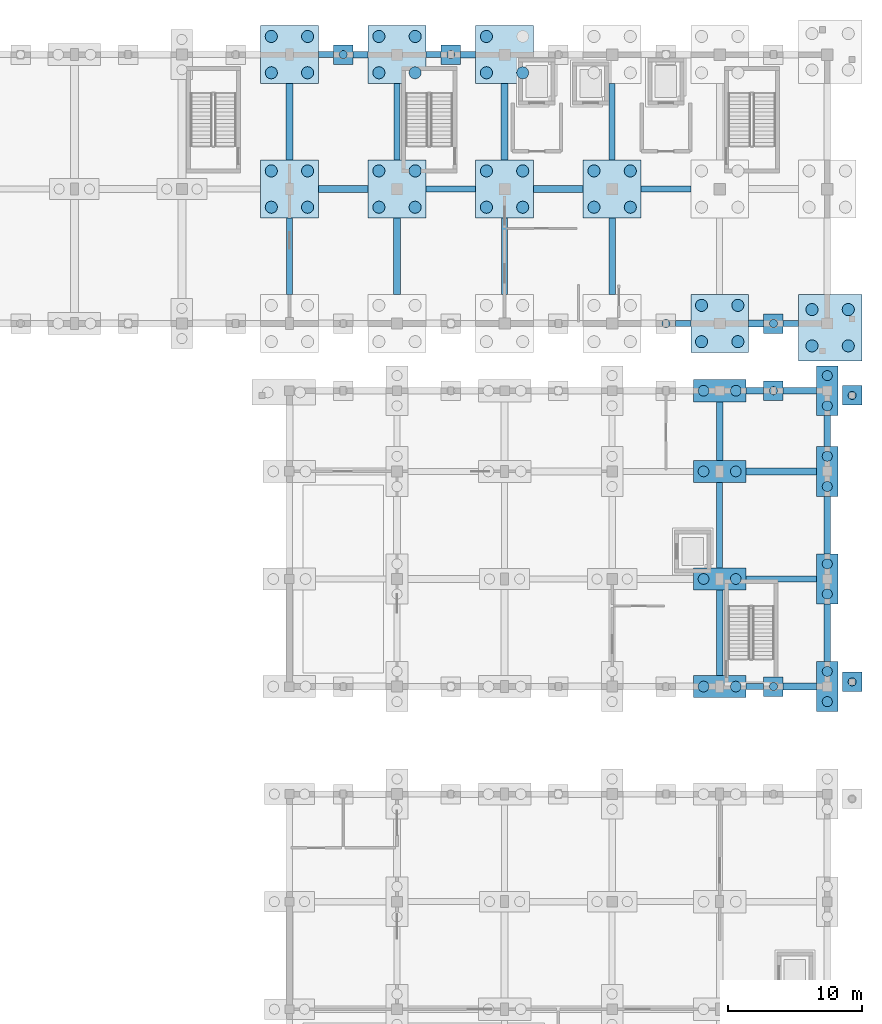
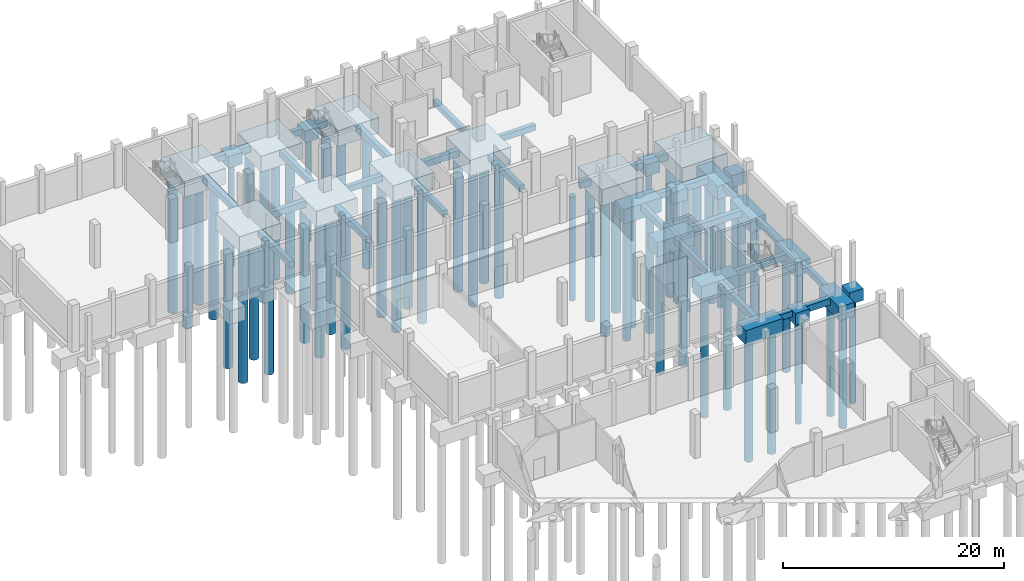
# One storey, part 13 of 52: 59 piles, 55 footings.
"""IFC4 building model written with IfcOpenShell, lengths in metres."""

from ifc_helpers import new_model, si_unit, direction, frame, origin, origin_2d, place, context, subcontext, project, spatial, polyline, rectangle, circle, outline, extrude, material, material_profile, profile_set, type_object, element, save


model = new_model("IFC4")

# Units and contexts
model_context = context("Model", 3, precision=1e-05, world=origin(), true_north=direction((0.0, 1.0)))
body_context = subcontext(model_context, "Body", "Model", "MODEL_VIEW")
ifc_project = project(units=[si_unit("LENGTHUNIT", "METRE"), si_unit("AREAUNIT", "SQUARE_METRE"), si_unit("VOLUMEUNIT", "CUBIC_METRE"), si_unit("PLANEANGLEUNIT", "RADIAN"), si_unit("MASSUNIT", "GRAM", prefix="KILO")], contexts=[model_context])

# Site, building, storey
site_placement = place(None, origin())
site = spatial("IfcSite", under=ifc_project, at=site_placement, CompositionType="ELEMENT")
building_placement = place(site_placement, origin())
building = spatial("IfcBuilding", under=site, at=building_placement, Name="Luwemba Playhouse", CompositionType="ELEMENT")
storey_placement = place(building_placement, frame((0.0, 0.0, -4.800048828125)))
storey = spatial("IfcBuildingStorey", under=building, at=storey_placement, Name="B1", CompositionType="ELEMENT", Elevation=-4.800048828125)

# Footings
ifc_material = material(Name="Concrete C32/40", Category="concrete")
ifc_material_profile_1 = material_profile(ifc_material, rectangle(XDim=0.449951171875, YDim=0.64990234375, at=origin_2d()))
ifc_profile_set_1 = profile_set([ifc_material_profile_1], Name="Concrete C32/40")
footing_type_1 = type_object("IfcFootingType", Name="FTBM-GB1", PredefinedType="FOOTING_BEAM", material=ifc_profile_set_1)
footing_1_placement = place(storey_placement, frame((165.949951171875, 68.0, -0.704833984375), z_axis=(1.0, 0.0, 0.0), x_axis=(0.0, 1.0, 0.0)))
element("IfcFooting", 1, at=footing_1_placement, inside=storey, type_object=footing_type_1, Name="Ground tie-beam 151", PredefinedType="FOOTING_BEAM", context=body_context, shape_type="SweptSolid", body=[
    extrude(rectangle(XDim=0.449951171875, YDim=0.64990234375, at=origin_2d()), origin(), (0.0, 0.0, 1.0), 1.324951171875),
])
footing_2_placement = place(storey_placement, frame((165.949951171875, 76.0, -0.704833984375), z_axis=(1.0, 0.0, 0.0), x_axis=(0.0, 1.0, 0.0)))
element("IfcFooting", 2, at=footing_2_placement, inside=storey, type_object=footing_type_1, Name="Ground tie-beam 159", PredefinedType="FOOTING_BEAM", context=body_context, shape_type="SweptSolid", body=[
    extrude(rectangle(XDim=0.449951171875, YDim=0.64990234375, at=origin_2d()), origin(), (0.0, 0.0, 1.0), 5.25),
])
footing_3_placement = place(storey_placement, frame((165.949951171875, 90.0, -0.704833984375), z_axis=(1.0, 0.0, 0.0), x_axis=(0.0, 1.0, 0.0)))
element("IfcFooting", 3, at=footing_3_placement, inside=storey, type_object=footing_type_1, Name="Ground tie-beam 189", PredefinedType="FOOTING_BEAM", context=body_context, shape_type="SweptSolid", body=[
    extrude(rectangle(XDim=0.449951171875, YDim=0.64990234375, at=origin_2d()), origin(), (0.0, 0.0, 1.0), 1.324951171875),
])
for number, where, z_axis, x_axis, name in (
    (4, (160.72509765625, 95.0, -0.704833984375), (1.0, 0.0, 0.0), (0.0, 1.0, 0.0), "Ground tie-beam 215"),
    (5, (168.72509765625, 95.0, -0.704833984375), (1.0, 0.0, 0.0), (0.0, 1.0, 0.0), "Ground tie-beam 217"),
):
    element("IfcFooting", number, at=place(storey_placement, frame(where, z_axis=z_axis, x_axis=x_axis)), inside=storey, type_object=footing_type_1, Name=name, PredefinedType="FOOTING_BEAM", context=body_context, shape_type="SweptSolid", body=[
        extrude(rectangle(XDim=0.449951171875, YDim=0.64990234375, at=origin_2d()), origin(), (0.0, 0.0, 1.0), 1.125),
    ])
for number, where, z_axis, x_axis, name in (
    (6, (142.14990234375, 105.0, -0.704833984375), (1.0, 0.0, 0.0), (0.0, 1.0, 0.0), "Ground tie-beam 231"),
    (7, (158.14990234375, 105.0, -0.704833984375), (1.0, 0.0, 0.0), (0.0, 1.0, 0.0), "Ground tie-beam 233"),
):
    element("IfcFooting", number, at=place(storey_placement, frame(where, z_axis=z_axis, x_axis=x_axis)), inside=storey, type_object=footing_type_1, Name=name, PredefinedType="FOOTING_BEAM", context=body_context, shape_type="SweptSolid", body=[
        extrude(rectangle(XDim=0.449951171875, YDim=0.64990234375, at=origin_2d()), origin(), (0.0, 0.0, 1.0), 3.7001953125),
    ])
for number, where, z_axis, x_axis, name in (
    (8, (134.14990234375, 115.0, -0.704833984375), (1.0, 0.0, 0.0), (0.0, 1.0, 0.0), "Ground tie-beam 259"),
    (9, (142.14990234375, 115.0, -0.704833984375), (1.0, 0.0, 0.0), (0.0, 1.0, 0.0), "Ground tie-beam 261"),
):
    element("IfcFooting", number, at=place(storey_placement, frame(where, z_axis=z_axis, x_axis=x_axis)), inside=storey, type_object=footing_type_1, Name=name, PredefinedType="FOOTING_BEAM", context=body_context, shape_type="SweptSolid", body=[
        extrude(rectangle(XDim=0.449951171875, YDim=0.64990234375, at=origin_2d()), origin(), (0.0, 0.0, 1.0), 1.125),
    ])
for number, where, z_axis, x_axis, name in (
    (10, (132.0, 97.14990234375, -0.704833984375), (0.0, 1.0, 0.0), (-1.0, 0.0, 0.0), "Ground tie-beam 371"),
    (11, (140.0, 107.14990234375, -0.704833984375), (0.0, 1.0, 0.0), (-1.0, 0.0, 0.0), "Ground tie-beam 383"),
    (12, (148.0, 97.14990234375, -0.704833984375), (0.0, 1.0, 0.0), (-1.0, 0.0, 0.0), "Ground tie-beam 393"),
    (13, (156.0, 107.14990234375, -0.704833984375), (0.0, 1.0, 0.0), (-1.0, 0.0, 0.0), "Ground tie-beam 405"),
):
    element("IfcFooting", number, at=place(storey_placement, frame(where, z_axis=z_axis, x_axis=x_axis)), inside=storey, type_object=footing_type_1, Name=name, PredefinedType="FOOTING_BEAM", context=body_context, shape_type="SweptSolid", body=[
        extrude(rectangle(XDim=0.449951171875, YDim=0.64990234375, at=origin_2d()), origin(), (0.0, 0.0, 1.0), 5.7001953125),
    ])
footing_4_placement = place(storey_placement, frame((164.0, 76.824951171875, -0.704833984375), z_axis=(0.0, 1.0, 0.0), x_axis=(-1.0, 0.0, 0.0)))
element("IfcFooting", 14, at=footing_4_placement, inside=storey, type_object=footing_type_1, Name="Ground tie-beam 413", PredefinedType="FOOTING_BEAM", context=body_context, shape_type="SweptSolid", body=[
    extrude(rectangle(XDim=0.449951171875, YDim=0.64990234375, at=origin_2d()), origin(), (0.0, 0.0, 1.0), 6.35009765625),
])
footing_5_placement = place(storey_placement, frame((172.0, 69.85009765625, -0.704833984375), z_axis=(0.0, 1.0, 0.0), x_axis=(-1.0, 0.0, 0.0)))
element("IfcFooting", 15, at=footing_5_placement, inside=storey, type_object=footing_type_1, Name="Ground tie-beam 423", PredefinedType="FOOTING_BEAM", context=body_context, shape_type="SweptSolid", body=[
    extrude(rectangle(XDim=0.449951171875, YDim=0.64990234375, at=origin_2d()), origin(), (0.0, 0.0, 1.0), 4.2998046875),
])
footing_6_placement = place(storey_placement, frame((172.0, 85.85009765625, -0.704833984375), z_axis=(0.0, 1.0, 0.0), x_axis=(-1.0, 0.0, 0.0)))
element("IfcFooting", 16, at=footing_6_placement, inside=storey, type_object=footing_type_1, Name="Ground tie-beam 425", PredefinedType="FOOTING_BEAM", context=body_context, shape_type="SweptSolid", body=[
    extrude(rectangle(XDim=0.449951171875, YDim=0.64990234375, at=origin_2d()), origin(), (0.0, 0.0, 1.0), 2.2998046875),
])
ifc_material_profile_2 = material_profile(ifc_material, rectangle(XDim=0.5, YDim=0.699951171875, at=origin_2d()))
ifc_profile_set_2 = profile_set([ifc_material_profile_2], Name="Concrete C32/40")
footing_type_2 = type_object("IfcFootingType", Name="FTBM-GB2", PredefinedType="FOOTING_BEAM", material=ifc_profile_set_2)
footing_7_placement = place(storey_placement, frame((168.72509765625, 68.0, -0.72998046875), z_axis=(1.0, 0.0, 0.0), x_axis=(0.0, 1.0, 0.0)))
element("IfcFooting", 17, at=footing_7_placement, inside=storey, type_object=footing_type_2, Name="Ground tie-beam 152", PredefinedType="FOOTING_BEAM", context=body_context, shape_type="SweptSolid", body=[
    extrude(rectangle(XDim=0.5, YDim=0.699951171875, at=origin_2d()), origin(), (0.0, 0.0, 1.0), 2.474853515625),
])
footing_8_placement = place(storey_placement, frame((165.949951171875, 84.0, -0.72998046875), z_axis=(1.0, 0.0, 0.0), x_axis=(0.0, 1.0, 0.0)))
element("IfcFooting", 18, at=footing_8_placement, inside=storey, type_object=footing_type_2, Name="Ground tie-beam 170", PredefinedType="FOOTING_BEAM", context=body_context, shape_type="SweptSolid", body=[
    extrude(rectangle(XDim=0.5, YDim=0.699951171875, at=origin_2d()), origin(), (0.0, 0.0, 1.0), 5.25),
])
footing_9_placement = place(storey_placement, frame((168.72509765625, 90.0, -0.72998046875), z_axis=(1.0, 0.0, 0.0), x_axis=(0.0, 1.0, 0.0)))
element("IfcFooting", 19, at=footing_9_placement, inside=storey, type_object=footing_type_2, Name="Ground tie-beam 190", PredefinedType="FOOTING_BEAM", context=body_context, shape_type="SweptSolid", body=[
    extrude(rectangle(XDim=0.5, YDim=0.699951171875, at=origin_2d()), origin(), (0.0, 0.0, 1.0), 2.474853515625),
])
footing_10_placement = place(storey_placement, frame((166.14990234375, 95.0, -0.72998046875), z_axis=(1.0, 0.0, 0.0), x_axis=(0.0, 1.0, 0.0)))
element("IfcFooting", 20, at=footing_10_placement, inside=storey, type_object=footing_type_2, Name="Ground tie-beam 216", PredefinedType="FOOTING_BEAM", context=body_context, shape_type="SweptSolid", body=[
    extrude(rectangle(XDim=0.5, YDim=0.699951171875, at=origin_2d()), origin(), (0.0, 0.0, 1.0), 1.125),
])
for number, where, z_axis, x_axis, name in (
    (21, (134.14990234375, 105.0, -0.72998046875), (1.0, 0.0, 0.0), (0.0, 1.0, 0.0), "Ground tie-beam 230"),
    (22, (150.14990234375, 105.0, -0.72998046875), (1.0, 0.0, 0.0), (0.0, 1.0, 0.0), "Ground tie-beam 232"),
):
    element("IfcFooting", number, at=place(storey_placement, frame(where, z_axis=z_axis, x_axis=x_axis)), inside=storey, type_object=footing_type_2, Name=name, PredefinedType="FOOTING_BEAM", context=body_context, shape_type="SweptSolid", body=[
        extrude(rectangle(XDim=0.5, YDim=0.699951171875, at=origin_2d()), origin(), (0.0, 0.0, 1.0), 3.7001953125),
    ])
for number, where, z_axis, x_axis, name in (
    (23, (136.72509765625, 115.0, -0.72998046875), (1.0, 0.0, 0.0), (0.0, 1.0, 0.0), "Ground tie-beam 260"),
    (24, (144.72509765625, 115.0, -0.72998046875), (1.0, 0.0, 0.0), (0.0, 1.0, 0.0), "Ground tie-beam 262"),
):
    element("IfcFooting", number, at=place(storey_placement, frame(where, z_axis=z_axis, x_axis=x_axis)), inside=storey, type_object=footing_type_2, Name=name, PredefinedType="FOOTING_BEAM", context=body_context, shape_type="SweptSolid", body=[
        extrude(rectangle(XDim=0.5, YDim=0.699951171875, at=origin_2d()), origin(), (0.0, 0.0, 1.0), 1.125),
    ])
for number, where, z_axis, x_axis, name in (
    (25, (132.0, 107.14990234375, -0.72998046875), (0.0, 1.0, 0.0), (-1.0, 0.0, 0.0), "Ground tie-beam 372"),
    (26, (140.0, 97.14990234375, -0.72998046875), (0.0, 1.0, 0.0), (-1.0, 0.0, 0.0), "Ground tie-beam 382"),
    (27, (148.0, 107.14990234375, -0.72998046875), (0.0, 1.0, 0.0), (-1.0, 0.0, 0.0), "Ground tie-beam 394"),
    (28, (156.0, 97.14990234375, -0.72998046875), (0.0, 1.0, 0.0), (-1.0, 0.0, 0.0), "Ground tie-beam 404"),
):
    element("IfcFooting", number, at=place(storey_placement, frame(where, z_axis=z_axis, x_axis=x_axis)), inside=storey, type_object=footing_type_2, Name=name, PredefinedType="FOOTING_BEAM", context=body_context, shape_type="SweptSolid", body=[
        extrude(rectangle(XDim=0.5, YDim=0.699951171875, at=origin_2d()), origin(), (0.0, 0.0, 1.0), 5.7001953125),
    ])
footing_11_placement = place(storey_placement, frame((164.0, 68.824951171875, -0.72998046875), z_axis=(0.0, 1.0, 0.0), x_axis=(-1.0, 0.0, 0.0)))
element("IfcFooting", 29, at=footing_11_placement, inside=storey, type_object=footing_type_2, Name="Ground tie-beam 412", PredefinedType="FOOTING_BEAM", context=body_context, shape_type="SweptSolid", body=[
    extrude(rectangle(XDim=0.5, YDim=0.699951171875, at=origin_2d()), origin(), (0.0, 0.0, 1.0), 6.35009765625),
])
footing_12_placement = place(storey_placement, frame((164.0, 84.824951171875, -0.72998046875), z_axis=(0.0, 1.0, 0.0), x_axis=(-1.0, 0.0, 0.0)))
element("IfcFooting", 30, at=footing_12_placement, inside=storey, type_object=footing_type_2, Name="Ground tie-beam 414", PredefinedType="FOOTING_BEAM", context=body_context, shape_type="SweptSolid", body=[
    extrude(rectangle(XDim=0.5, YDim=0.699951171875, at=origin_2d()), origin(), (0.0, 0.0, 1.0), 4.35009765625),
])
footing_13_placement = place(storey_placement, frame((172.0, 77.85009765625, -0.72998046875), z_axis=(0.0, 1.0, 0.0), x_axis=(-1.0, 0.0, 0.0)))
element("IfcFooting", 31, at=footing_13_placement, inside=storey, type_object=footing_type_2, Name="Ground tie-beam 424", PredefinedType="FOOTING_BEAM", context=body_context, shape_type="SweptSolid", body=[
    extrude(rectangle(XDim=0.5, YDim=0.699951171875, at=origin_2d()), origin(), (0.0, 0.0, 1.0), 4.2998046875),
])
footing_type_3 = type_object("IfcFootingType", Name="FTG-PC02", PredefinedType="PILE_CAP", material=ifc_material)
footing_14_placement = place(storey_placement, frame((0.0, 0.0, -1.679931640625)))
element("IfcFooting", 32, at=footing_14_placement, inside=storey, type_object=footing_type_3, Name="Pile cap 208", PredefinedType="PILE_CAP", context=body_context, shape_type="SweptSolid", body=[
    extrude(outline(polyline([(167.27490234375, 67.27490234375), (168.72509765625, 67.27490234375), (168.72509765625, 68.72509765625), (167.27490234375, 68.72509765625), (167.27490234375, 67.27490234375)])), origin(), (0.0, 0.0, 1.0), 1.300048828125),
])
footing_15_placement = place(storey_placement, frame((0.0, 0.0, -1.679931640625)))
element("IfcFooting", 33, at=footing_15_placement, inside=storey, type_object=footing_type_3, Name="Pile cap 209", PredefinedType="PILE_CAP", context=body_context, shape_type="SweptSolid", body=[
    extrude(outline(polyline([(173.125, 67.625), (174.574951171875, 67.625), (174.574951171875, 69.074951171875), (173.125, 69.074951171875), (173.125, 67.625)])), origin(), (0.0, 0.0, 1.0), 1.300048828125),
])
footing_16_placement = place(storey_placement, frame((0.0, 0.0, -1.679931640625)))
element("IfcFooting", 34, at=footing_16_placement, inside=storey, type_object=footing_type_3, Name="Pile cap 244", PredefinedType="PILE_CAP", context=body_context, shape_type="SweptSolid", body=[
    extrude(outline(polyline([(173.125, 88.925048828125), (174.574951171875, 88.925048828125), (174.574951171875, 90.375), (173.125, 90.375), (173.125, 88.925048828125)])), origin(), (0.0, 0.0, 1.0), 1.300048828125),
])
footing_17_placement = place(storey_placement, frame((0.0, 0.0, -1.679931640625)))
element("IfcFooting", 35, at=footing_17_placement, inside=storey, type_object=footing_type_3, Name="Pile cap 255", PredefinedType="PILE_CAP", context=body_context, shape_type="SweptSolid", body=[
    extrude(outline(polyline([(167.27490234375, 89.27490234375), (168.72509765625, 89.27490234375), (168.72509765625, 90.72509765625), (167.27490234375, 90.72509765625), (167.27490234375, 89.27490234375)])), origin(), (0.0, 0.0, 1.0), 1.300048828125),
])
footing_18_placement = place(storey_placement, frame((0.0, 0.0, -1.679931640625)))
element("IfcFooting", 36, at=footing_18_placement, inside=storey, type_object=footing_type_3, Name="Pile cap 285", PredefinedType="PILE_CAP", context=body_context, shape_type="SweptSolid", body=[
    extrude(outline(polyline([(167.27490234375, 94.27490234375), (168.72509765625, 94.27490234375), (168.72509765625, 95.72509765625), (167.27490234375, 95.72509765625), (167.27490234375, 94.27490234375)])), origin(), (0.0, 0.0, 1.0), 1.300048828125),
])
footing_19_placement = place(storey_placement, frame((0.0, 0.0, -1.679931640625)))
element("IfcFooting", 37, at=footing_19_placement, inside=storey, type_object=footing_type_3, Name="Pile cap 336", PredefinedType="PILE_CAP", context=body_context, shape_type="SweptSolid", body=[
    extrude(outline(polyline([(135.27490234375, 114.27490234375), (136.72509765625, 114.27490234375), (136.72509765625, 115.72509765625), (135.27490234375, 115.72509765625), (135.27490234375, 114.27490234375)])), origin(), (0.0, 0.0, 1.0), 1.300048828125),
])
footing_20_placement = place(storey_placement, frame((0.0, 0.0, -1.679931640625)))
element("IfcFooting", 38, at=footing_20_placement, inside=storey, type_object=footing_type_3, Name="Pile cap 337", PredefinedType="PILE_CAP", context=body_context, shape_type="SweptSolid", body=[
    extrude(outline(polyline([(143.27490234375, 114.27490234375), (144.72509765625, 114.27490234375), (144.72509765625, 115.72509765625), (143.27490234375, 115.72509765625), (143.27490234375, 114.27490234375)])), origin(), (0.0, 0.0, 1.0), 1.300048828125),
])
footing_type_4 = type_object("IfcFootingType", Name="FTG-PC03", PredefinedType="PILE_CAP", material=ifc_material)
footing_21_placement = place(storey_placement, frame((0.0, 0.0, -1.8798828125)))
element("IfcFooting", 39, at=footing_21_placement, inside=storey, type_object=footing_type_4, Name="Pile cap 198", PredefinedType="PILE_CAP", context=body_context, shape_type="SweptSolid", body=[
    extrude(outline(polyline([(171.199951171875, 66.14990234375), (172.800048828125, 66.14990234375), (172.800048828125, 69.85009765625), (171.199951171875, 69.85009765625), (171.199951171875, 66.14990234375)])), origin(), (0.0, 0.0, 1.0), 1.5),
])
footing_22_placement = place(storey_placement, frame((0.0, 0.0, -1.8798828125)))
element("IfcFooting", 40, at=footing_22_placement, inside=storey, type_object=footing_type_4, Name="Pile cap 213", PredefinedType="PILE_CAP", context=body_context, shape_type="SweptSolid", body=[
    extrude(outline(polyline([(171.199951171875, 74.14990234375), (172.800048828125, 74.14990234375), (172.800048828125, 77.85009765625), (171.199951171875, 77.85009765625), (171.199951171875, 74.14990234375)])), origin(), (0.0, 0.0, 1.0), 1.5),
])
footing_23_placement = place(storey_placement, frame((0.0, 0.0, -1.8798828125)))
element("IfcFooting", 41, at=footing_23_placement, inside=storey, type_object=footing_type_4, Name="Pile cap 227", PredefinedType="PILE_CAP", context=body_context, shape_type="SweptSolid", body=[
    extrude(outline(polyline([(171.199951171875, 82.14990234375), (172.800048828125, 82.14990234375), (172.800048828125, 85.85009765625), (171.199951171875, 85.85009765625), (171.199951171875, 82.14990234375)])), origin(), (0.0, 0.0, 1.0), 1.5),
])
footing_24_placement = place(storey_placement, frame((0.0, 0.0, -1.8798828125)))
element("IfcFooting", 42, at=footing_24_placement, inside=storey, type_object=footing_type_4, Name="Pile cap 240", PredefinedType="PILE_CAP", context=body_context, shape_type="SweptSolid", body=[
    extrude(outline(polyline([(171.199951171875, 88.14990234375), (172.800048828125, 88.14990234375), (172.800048828125, 91.85009765625), (171.199951171875, 91.85009765625), (171.199951171875, 88.14990234375)])), origin(), (0.0, 0.0, 1.0), 1.5),
])
footing_type_5 = type_object("IfcFootingType", Name="FTG-PC04", PredefinedType="PILE_CAP", material=ifc_material)
footing_25_placement = place(storey_placement, frame((0.0, 0.0, -1.97998046875)))
element("IfcFooting", 43, at=footing_25_placement, inside=storey, type_object=footing_type_5, Name="Pile cap 203", PredefinedType="PILE_CAP", context=body_context, shape_type="SweptSolid", body=[
    extrude(outline(polyline([(162.050048828125, 67.175048828125), (165.949951171875, 67.175048828125), (165.949951171875, 68.824951171875), (162.050048828125, 68.824951171875), (162.050048828125, 67.175048828125)])), origin(), (0.0, 0.0, 1.0), 1.60009765625),
])
footing_26_placement = place(storey_placement, frame((0.0, 0.0, -1.97998046875)))
element("IfcFooting", 44, at=footing_26_placement, inside=storey, type_object=footing_type_5, Name="Pile cap 217", PredefinedType="PILE_CAP", context=body_context, shape_type="SweptSolid", body=[
    extrude(outline(polyline([(162.050048828125, 75.175048828125), (165.949951171875, 75.175048828125), (165.949951171875, 76.824951171875), (162.050048828125, 76.824951171875), (162.050048828125, 75.175048828125)])), origin(), (0.0, 0.0, 1.0), 1.60009765625),
])
footing_27_placement = place(storey_placement, frame((0.0, 0.0, -1.97998046875)))
element("IfcFooting", 45, at=footing_27_placement, inside=storey, type_object=footing_type_5, Name="Pile cap 232", PredefinedType="PILE_CAP", context=body_context, shape_type="SweptSolid", body=[
    extrude(outline(polyline([(162.050048828125, 83.175048828125), (165.949951171875, 83.175048828125), (165.949951171875, 84.824951171875), (162.050048828125, 84.824951171875), (162.050048828125, 83.175048828125)])), origin(), (0.0, 0.0, 1.0), 1.60009765625),
])
footing_28_placement = place(storey_placement, frame((0.0, 0.0, -1.97998046875)))
element("IfcFooting", 46, at=footing_28_placement, inside=storey, type_object=footing_type_5, Name="Pile cap 246", PredefinedType="PILE_CAP", context=body_context, shape_type="SweptSolid", body=[
    extrude(outline(polyline([(162.050048828125, 89.175048828125), (165.949951171875, 89.175048828125), (165.949951171875, 90.824951171875), (162.050048828125, 90.824951171875), (162.050048828125, 89.175048828125)])), origin(), (0.0, 0.0, 1.0), 1.60009765625),
])
footing_type_6 = type_object("IfcFootingType", Name="FTG-PC21", PredefinedType="PILE_CAP", material=ifc_material)
footing_29_placement = place(storey_placement, frame((0.0, 0.0, -2.1298828125)))
element("IfcFooting", 47, at=footing_29_placement, inside=storey, type_object=footing_type_6, Name="Pile cap 262", PredefinedType="PILE_CAP", context=body_context, shape_type="SweptSolid", body=[
    extrude(outline(polyline([(161.85009765625, 92.85009765625), (166.14990234375, 92.85009765625), (166.14990234375, 97.14990234375), (161.85009765625, 97.14990234375), (161.85009765625, 92.85009765625)])), origin(), (0.0, 0.0, 1.0), 1.75),
])
footing_30_placement = place(storey_placement, frame((0.0, 0.0, -2.1298828125)))
element("IfcFooting", 48, at=footing_30_placement, inside=storey, type_object=footing_type_6, Name="Pile cap 286", PredefinedType="PILE_CAP", context=body_context, shape_type="SweptSolid", body=[
    extrude(outline(polyline([(129.85009765625, 102.85009765625), (134.14990234375, 102.85009765625), (134.14990234375, 107.14990234375), (129.85009765625, 107.14990234375), (129.85009765625, 102.85009765625)])), origin(), (0.0, 0.0, 1.0), 1.75),
])
footing_31_placement = place(storey_placement, frame((0.0, 0.0, -2.1298828125)))
element("IfcFooting", 49, at=footing_31_placement, inside=storey, type_object=footing_type_6, Name="Pile cap 287", PredefinedType="PILE_CAP", context=body_context, shape_type="SweptSolid", body=[
    extrude(outline(polyline([(137.85009765625, 102.85009765625), (142.14990234375, 102.85009765625), (142.14990234375, 107.14990234375), (137.85009765625, 107.14990234375), (137.85009765625, 102.85009765625)])), origin(), (0.0, 0.0, 1.0), 1.75),
])
footing_32_placement = place(storey_placement, frame((0.0, 0.0, -2.1298828125)))
element("IfcFooting", 50, at=footing_32_placement, inside=storey, type_object=footing_type_6, Name="Pile cap 288", PredefinedType="PILE_CAP", context=body_context, shape_type="SweptSolid", body=[
    extrude(outline(polyline([(145.85009765625, 102.85009765625), (150.14990234375, 102.85009765625), (150.14990234375, 107.14990234375), (145.85009765625, 107.14990234375), (145.85009765625, 102.85009765625)])), origin(), (0.0, 0.0, 1.0), 1.75),
])
footing_33_placement = place(storey_placement, frame((0.0, 0.0, -2.1298828125)))
element("IfcFooting", 51, at=footing_33_placement, inside=storey, type_object=footing_type_6, Name="Pile cap 289", PredefinedType="PILE_CAP", context=body_context, shape_type="SweptSolid", body=[
    extrude(outline(polyline([(153.85009765625, 102.85009765625), (158.14990234375, 102.85009765625), (158.14990234375, 107.14990234375), (153.85009765625, 107.14990234375), (153.85009765625, 102.85009765625)])), origin(), (0.0, 0.0, 1.0), 1.75),
])
footing_34_placement = place(storey_placement, frame((0.0, 0.0, -2.1298828125)))
element("IfcFooting", 52, at=footing_34_placement, inside=storey, type_object=footing_type_6, Name="Pile cap 305", PredefinedType="PILE_CAP", context=body_context, shape_type="SweptSolid", body=[
    extrude(outline(polyline([(129.85009765625, 112.85009765625), (134.14990234375, 112.85009765625), (134.14990234375, 117.14990234375), (129.85009765625, 117.14990234375), (129.85009765625, 112.85009765625)])), origin(), (0.0, 0.0, 1.0), 1.75),
])
footing_35_placement = place(storey_placement, frame((0.0, 0.0, -2.1298828125)))
element("IfcFooting", 53, at=footing_35_placement, inside=storey, type_object=footing_type_6, Name="Pile cap 306", PredefinedType="PILE_CAP", context=body_context, shape_type="SweptSolid", body=[
    extrude(outline(polyline([(137.85009765625, 112.85009765625), (142.14990234375, 112.85009765625), (142.14990234375, 117.14990234375), (137.85009765625, 117.14990234375), (137.85009765625, 112.85009765625)])), origin(), (0.0, 0.0, 1.0), 1.75),
])
footing_36_placement = place(storey_placement, frame((0.0, 0.0, -2.1298828125)))
element("IfcFooting", 54, at=footing_36_placement, inside=storey, type_object=footing_type_6, Name="Pile cap 307", PredefinedType="PILE_CAP", context=body_context, shape_type="SweptSolid", body=[
    extrude(outline(polyline([(145.85009765625, 112.85009765625), (150.14990234375, 112.85009765625), (150.14990234375, 117.14990234375), (145.85009765625, 117.14990234375), (145.85009765625, 112.85009765625)])), origin(), (0.0, 0.0, 1.0), 1.75),
])
footing_type_7 = type_object("IfcFootingType", Name="FTG-PC24", PredefinedType="PILE_CAP", material=ifc_material)
footing_37_placement = place(storey_placement, frame((0.0, 0.0, -2.1298828125)))
element("IfcFooting", 55, at=footing_37_placement, inside=storey, type_object=footing_type_7, Name="Pile cap 257", PredefinedType="PILE_CAP", context=body_context, shape_type="SweptSolid", body=[
    extrude(outline(polyline([(169.85009765625, 92.22509765625), (174.574951171875, 92.22509765625), (174.574951171875, 97.14990234375), (169.85009765625, 97.14990234375), (169.85009765625, 92.22509765625)])), origin(), (0.0, 0.0, 1.0), 1.75),
])

# Piles
ifc_material_profile_3 = material_profile(ifc_material, circle(Radius=0.300048828125, at=origin_2d()))
ifc_profile_set_3 = profile_set([ifc_material_profile_3], Name="Concrete C32/40")
pile_type_1 = type_object("IfcPileType", Name="PILE-BP1", PredefinedType="BORED", material=ifc_profile_set_3)
for number, where, z_axis, x_axis, name in (
    (56, (168.0, 68.0, -1.579833984375), (0.0, 0.0, -1.0), (1.0, 0.0, 0.0), "Bored pile 349"),
    (57, (173.85009765625, 68.35009765625, -1.579833984375), (0.0, 0.0, -1.0), (1.0, 0.0, 0.0), "Bored pile 350"),
    (58, (173.85009765625, 89.64990234375, -1.579833984375), (0.0, 0.0, -1.0), (1.0, 0.0, 0.0), "Bored pile 443"),
    (59, (168.0, 90.0, -1.579833984375), (0.0, 0.0, -1.0), (1.0, 0.0, 0.0), "Bored pile 456"),
    (60, (160.0, 95.0, -1.579833984375), (0.0, 0.0, -1.0), (1.0, 0.0, 0.0), "Bored pile 516"),
    (61, (168.0, 95.0, -1.579833984375), (0.0, 0.0, -1.0), (1.0, 0.0, 0.0), "Bored pile 517"),
    (62, (136.0, 115.0, -1.579833984375), (0.0, 0.0, -1.0), (1.0, 0.0, 0.0), "Bored pile 630"),
    (63, (144.0, 115.0, -1.579833984375), (0.0, 0.0, -1.0), (1.0, 0.0, 0.0), "Bored pile 631"),
):
    element("IfcPile", number, at=place(storey_placement, frame(where, z_axis=z_axis, x_axis=x_axis)), inside=storey, type_object=pile_type_1, Name=name, PredefinedType="BORED", context=body_context, shape_type="SweptSolid", body=[
        extrude(circle(Radius=0.300048828125, at=origin_2d()), origin(), (0.0, 0.0, 1.0), 11.5),
    ])
ifc_material_profile_4 = material_profile(ifc_material, circle(Radius=0.375, at=origin_2d()))
ifc_profile_set_4 = profile_set([ifc_material_profile_4], Name="Concrete C32/40")
pile_type_2 = type_object("IfcPileType", Name="PILE-BP2", PredefinedType="BORED", material=ifc_profile_set_4)
for number, where, z_axis, x_axis, name in (
    (64, (172.0, 66.875, -1.780029296875), (0.0, 0.0, -1.0), (1.0, 0.0, 0.0), "Bored pile 333"),
    (65, (172.0, 69.125, -1.780029296875), (0.0, 0.0, -1.0), (1.0, 0.0, 0.0), "Bored pile 334"),
    (66, (172.0, 74.875, -1.780029296875), (0.0, 0.0, -1.0), (1.0, 0.0, 0.0), "Bored pile 361"),
    (67, (172.0, 77.125, -1.780029296875), (0.0, 0.0, -1.0), (1.0, 0.0, 0.0), "Bored pile 362"),
    (68, (172.0, 82.875, -1.780029296875), (0.0, 0.0, -1.0), (1.0, 0.0, 0.0), "Bored pile 399"),
    (69, (172.0, 85.125, -1.780029296875), (0.0, 0.0, -1.0), (1.0, 0.0, 0.0), "Bored pile 400"),
    (70, (172.0, 88.875, -1.780029296875), (0.0, 0.0, -1.0), (1.0, 0.0, 0.0), "Bored pile 435"),
    (71, (172.0, 91.125, -1.780029296875), (0.0, 0.0, -1.0), (1.0, 0.0, 0.0), "Bored pile 436"),
):
    element("IfcPile", number, at=place(storey_placement, frame(where, z_axis=z_axis, x_axis=x_axis)), inside=storey, type_object=pile_type_2, Name=name, PredefinedType="BORED", context=body_context, shape_type="SweptSolid", body=[
        extrude(circle(Radius=0.375, at=origin_2d()), origin(), (0.0, 0.0, 1.0), 12.5),
    ])
ifc_material_profile_5 = material_profile(ifc_material, circle(Radius=0.39990234375, at=origin_2d()))
ifc_profile_set_5 = profile_set([ifc_material_profile_5], Name="Concrete C32/40")
pile_type_3 = type_object("IfcPileType", Name="PILE-BP3", PredefinedType="BORED", material=ifc_profile_set_5)
for number, where, z_axis, x_axis, name in (
    (72, (162.800048828125, 68.0, -1.8798828125), (0.0, 0.0, -1.0), (1.0, 0.0, 0.0), "Bored pile 343"),
    (73, (165.199951171875, 68.0, -1.8798828125), (0.0, 0.0, -1.0), (1.0, 0.0, 0.0), "Bored pile 344"),
    (74, (162.800048828125, 76.0, -1.8798828125), (0.0, 0.0, -1.0), (1.0, 0.0, 0.0), "Bored pile 369"),
    (75, (165.199951171875, 76.0, -1.8798828125), (0.0, 0.0, -1.0), (1.0, 0.0, 0.0), "Bored pile 370"),
    (76, (162.800048828125, 84.0, -1.8798828125), (0.0, 0.0, -1.0), (1.0, 0.0, 0.0), "Bored pile 409"),
    (77, (165.199951171875, 84.0, -1.8798828125), (0.0, 0.0, -1.0), (1.0, 0.0, 0.0), "Bored pile 410"),
    (78, (162.800048828125, 90.0, -1.8798828125), (0.0, 0.0, -1.0), (1.0, 0.0, 0.0), "Bored pile 446"),
    (79, (165.199951171875, 90.0, -1.8798828125), (0.0, 0.0, -1.0), (1.0, 0.0, 0.0), "Bored pile 447"),
):
    element("IfcPile", number, at=place(storey_placement, frame(where, z_axis=z_axis, x_axis=x_axis)), inside=storey, type_object=pile_type_3, Name=name, PredefinedType="BORED", context=body_context, shape_type="SweptSolid", body=[
        extrude(circle(Radius=0.39990234375, at=origin_2d()), origin(), (0.0, 0.0, 1.0), 13.5),
    ])
ifc_material_profile_6 = material_profile(ifc_material, circle(Radius=0.449951171875, at=origin_2d()))
ifc_profile_set_6 = profile_set([ifc_material_profile_6], Name="Concrete C32/40")
pile_type_4 = type_object("IfcPileType", Name="PILE-BP4", PredefinedType="BORED", material=ifc_profile_set_6)
for number, where, z_axis, x_axis, name in (
    (80, (170.862548828125, 93.33740234375, -2.030029296875), (0.0, 0.0, -1.0), (1.0, 0.0, 0.0), "Bored pile 458"),
    (81, (170.862548828125, 96.03759765625, -2.030029296875), (0.0, 0.0, -1.0), (1.0, 0.0, 0.0), "Bored pile 459"),
    (82, (173.5625, 93.33740234375, -2.030029296875), (0.0, 0.0, -1.0), (1.0, 0.0, 0.0), "Bored pile 460"),
    (83, (173.5625, 96.03759765625, -2.030029296875), (0.0, 0.0, -1.0), (1.0, 0.0, 0.0), "Bored pile 461"),
    (84, (162.64990234375, 93.64990234375, -2.030029296875), (0.0, 0.0, -1.0), (1.0, 0.0, 0.0), "Bored pile 478"),
    (85, (162.64990234375, 96.35009765625, -2.030029296875), (0.0, 0.0, -1.0), (1.0, 0.0, 0.0), "Bored pile 479"),
    (86, (165.35009765625, 93.64990234375, -2.030029296875), (0.0, 0.0, -1.0), (1.0, 0.0, 0.0), "Bored pile 480"),
    (87, (165.35009765625, 96.35009765625, -2.030029296875), (0.0, 0.0, -1.0), (1.0, 0.0, 0.0), "Bored pile 481"),
    (88, (130.64990234375, 103.64990234375, -2.030029296875), (0.0, 0.0, -1.0), (1.0, 0.0, 0.0), "Bored pile 518"),
    (89, (130.64990234375, 106.35009765625, -2.030029296875), (0.0, 0.0, -1.0), (1.0, 0.0, 0.0), "Bored pile 519"),
    (90, (133.35009765625, 103.64990234375, -2.030029296875), (0.0, 0.0, -1.0), (1.0, 0.0, 0.0), "Bored pile 520"),
    (91, (133.35009765625, 106.35009765625, -2.030029296875), (0.0, 0.0, -1.0), (1.0, 0.0, 0.0), "Bored pile 521"),
    (92, (138.64990234375, 103.64990234375, -2.030029296875), (0.0, 0.0, -1.0), (1.0, 0.0, 0.0), "Bored pile 522"),
    (93, (138.64990234375, 106.35009765625, -2.030029296875), (0.0, 0.0, -1.0), (1.0, 0.0, 0.0), "Bored pile 523"),
    (94, (141.35009765625, 103.64990234375, -2.030029296875), (0.0, 0.0, -1.0), (1.0, 0.0, 0.0), "Bored pile 524"),
    (95, (141.35009765625, 106.35009765625, -2.030029296875), (0.0, 0.0, -1.0), (1.0, 0.0, 0.0), "Bored pile 525"),
    (96, (146.64990234375, 103.64990234375, -2.030029296875), (0.0, 0.0, -1.0), (1.0, 0.0, 0.0), "Bored pile 526"),
    (97, (146.64990234375, 106.35009765625, -2.030029296875), (0.0, 0.0, -1.0), (1.0, 0.0, 0.0), "Bored pile 527"),
    (98, (149.35009765625, 103.64990234375, -2.030029296875), (0.0, 0.0, -1.0), (1.0, 0.0, 0.0), "Bored pile 528"),
    (99, (149.35009765625, 106.35009765625, -2.030029296875), (0.0, 0.0, -1.0), (1.0, 0.0, 0.0), "Bored pile 529"),
    (100, (154.64990234375, 103.64990234375, -2.030029296875), (0.0, 0.0, -1.0), (1.0, 0.0, 0.0), "Bored pile 530"),
    (101, (154.64990234375, 106.35009765625, -2.030029296875), (0.0, 0.0, -1.0), (1.0, 0.0, 0.0), "Bored pile 531"),
    (102, (157.35009765625, 103.64990234375, -2.030029296875), (0.0, 0.0, -1.0), (1.0, 0.0, 0.0), "Bored pile 532"),
    (103, (157.35009765625, 106.35009765625, -2.030029296875), (0.0, 0.0, -1.0), (1.0, 0.0, 0.0), "Bored pile 533"),
    (104, (130.64990234375, 113.64990234375, -2.030029296875), (0.0, 0.0, -1.0), (1.0, 0.0, 0.0), "Bored pile 568"),
    (105, (130.64990234375, 116.35009765625, -2.030029296875), (0.0, 0.0, -1.0), (1.0, 0.0, 0.0), "Bored pile 569"),
    (106, (133.35009765625, 113.64990234375, -2.030029296875), (0.0, 0.0, -1.0), (1.0, 0.0, 0.0), "Bored pile 570"),
    (107, (133.35009765625, 116.35009765625, -2.030029296875), (0.0, 0.0, -1.0), (1.0, 0.0, 0.0), "Bored pile 571"),
    (108, (138.64990234375, 113.64990234375, -2.030029296875), (0.0, 0.0, -1.0), (1.0, 0.0, 0.0), "Bored pile 572"),
    (109, (138.64990234375, 116.35009765625, -2.030029296875), (0.0, 0.0, -1.0), (1.0, 0.0, 0.0), "Bored pile 573"),
    (110, (141.35009765625, 113.64990234375, -2.030029296875), (0.0, 0.0, -1.0), (1.0, 0.0, 0.0), "Bored pile 574"),
    (111, (141.35009765625, 116.35009765625, -2.030029296875), (0.0, 0.0, -1.0), (1.0, 0.0, 0.0), "Bored pile 575"),
    (112, (146.64990234375, 113.64990234375, -2.030029296875), (0.0, 0.0, -1.0), (1.0, 0.0, 0.0), "Bored pile 576"),
    (113, (146.64990234375, 116.35009765625, -2.030029296875), (0.0, 0.0, -1.0), (1.0, 0.0, 0.0), "Bored pile 577"),
    (114, (149.35009765625, 113.64990234375, -2.030029296875), (0.0, 0.0, -1.0), (1.0, 0.0, 0.0), "Bored pile 578"),
):
    element("IfcPile", number, at=place(storey_placement, frame(where, z_axis=z_axis, x_axis=x_axis)), inside=storey, type_object=pile_type_4, Name=name, PredefinedType="BORED", context=body_context, shape_type="SweptSolid", body=[
        extrude(circle(Radius=0.449951171875, at=origin_2d()), origin(), (0.0, 0.0, 1.0), 15.0),
    ])

save(model, "model.ifc")
